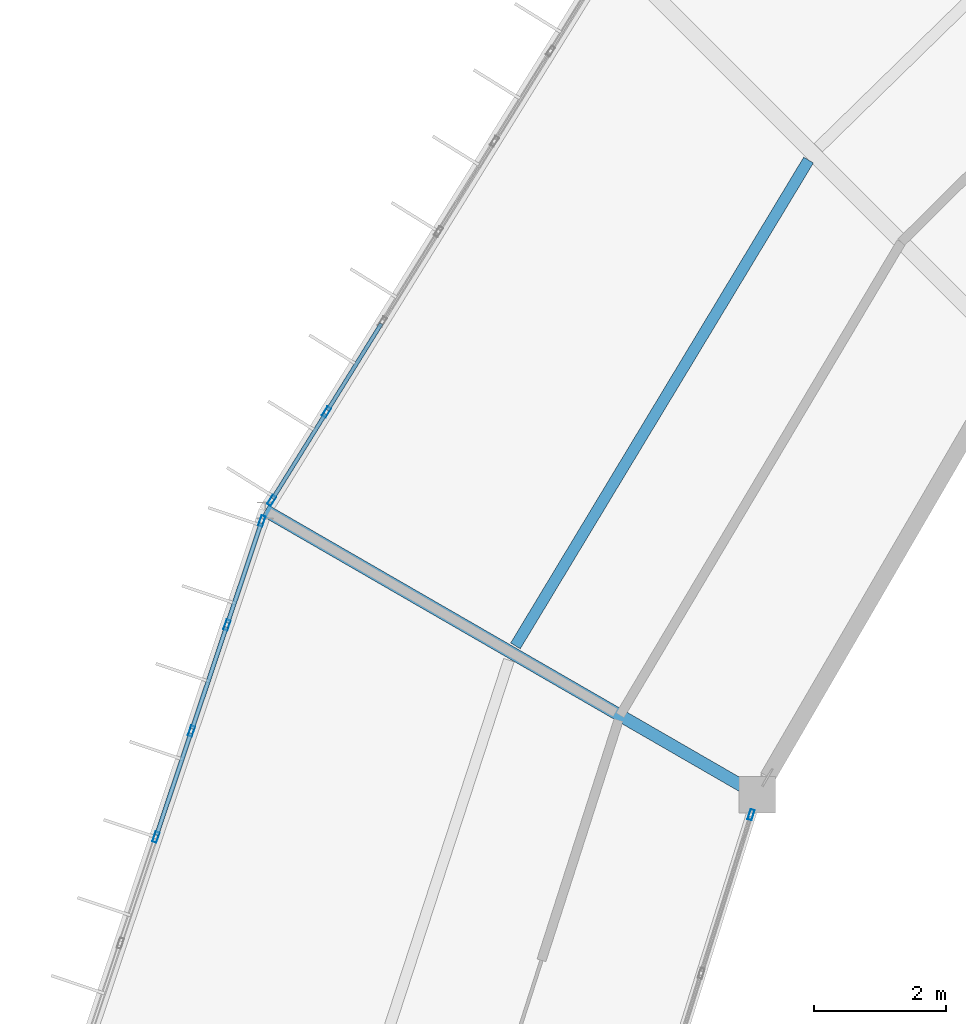
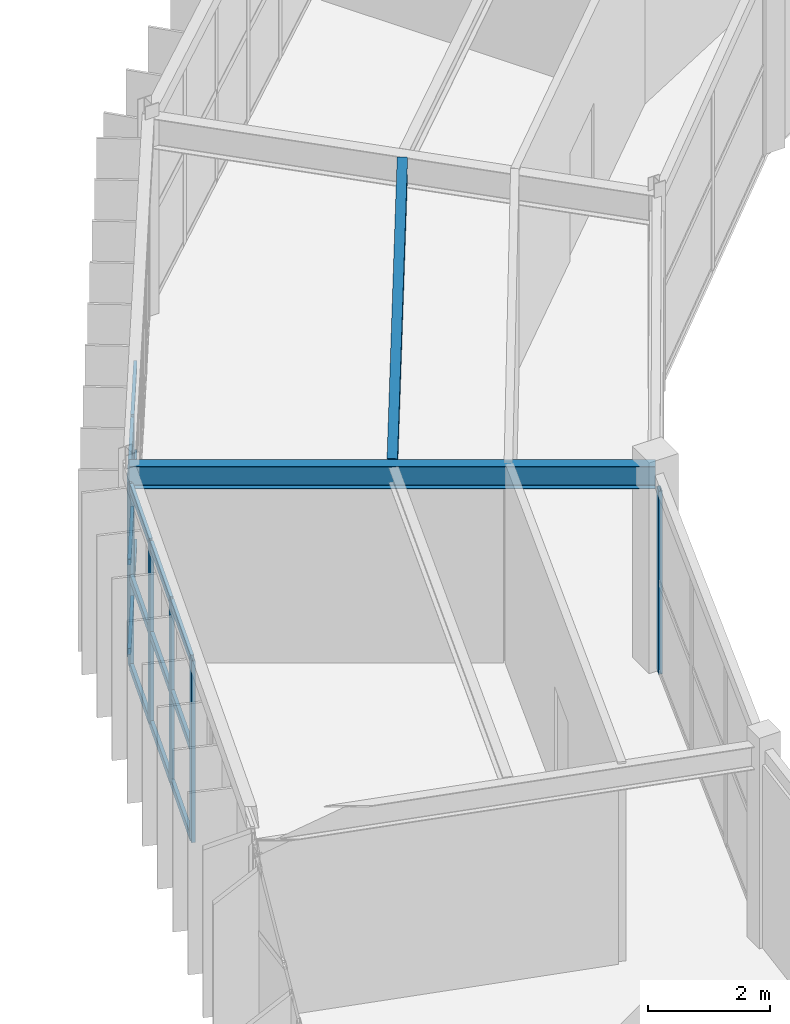
# One storey, part 84 of 157: 22 members, 2 beams, 3 elements without a shape of their own.
"""IFC4 building model written with IfcOpenShell, lengths in metres."""

import ifcopenshell
import ifcopenshell.guid

model = None  # the IFC model being written
_history = None  # IfcOwnerHistory: only IFC2X3 demands one
_inside = {}  # id of a spatial element -> (the spatial element, [elements in it])
_under = {}  # id of a project, library or spatial element -> (it, [spatial elements below it])
_declared = {}  # id of a project -> (the project, [libraries it declares])
_typed = {}  # id of a type object -> (the type object, [elements of that type])
_made_of = {}  # id of a material, layer set ... -> (it, [elements and type objects made of it])


def new_model(schema):
    """Start an empty IFC model of exactly this schema.

    Asked for "IFC4X3", IfcOpenShell would pick the latest addendum, in which some entities
    have other attributes; the version numbers below select the first issue.
    IFC2X3 requires an IfcOwnerHistory on every rooted entity: one is made here for all.
    """
    global model, _history
    if schema == "IFC4X3":
        model = ifcopenshell.file(schema_version=(4, 3, 0, 0))
    else:
        model = ifcopenshell.file(schema=schema)
    _inside.clear()
    _under.clear()
    _declared.clear()
    _typed.clear()
    _made_of.clear()
    _history = None
    if model.schema == "IFC2X3":
        org = make("IfcOrganization", Name="unknown")
        user = make(
            "IfcPersonAndOrganization",
            ThePerson=make("IfcPerson", FamilyName="unknown"),
            TheOrganization=org,
        )
        app = make(
            "IfcApplication",
            ApplicationDeveloper=org,
            Version="unknown",
            ApplicationFullName="unknown",
            ApplicationIdentifier="unknown",
        )
        _history = make(
            "IfcOwnerHistory",
            OwningUser=user,
            OwningApplication=app,
            ChangeAction="ADDED",
            CreationDate=0,
        )
    return model


def make(cls, **values):
    """One entity of the class cls with the attributes given. An attribute that is None is left unset."""
    return model.create_entity(
        cls, **{name: value for name, value in values.items() if value is not None}
    )


def rooted(cls, **values):
    """An entity with a GlobalId (a new one), such as an element, a storey or a relation."""
    return make(cls, GlobalId=ifcopenshell.guid.new(), OwnerHistory=_history, **values)


def si_unit(unit_type, name, prefix=None):
    """IfcSIUnit, for example si_unit("LENGTHUNIT", "METRE", prefix="MILLI")."""
    return make("IfcSIUnit", UnitType=unit_type, Prefix=prefix, Name=name)


def assignment(units):
    """IfcUnitAssignment: the units of a project."""
    return None if units is None else make("IfcUnitAssignment", Units=units)


def point(xyz):
    """IfcCartesianPoint."""
    return None if xyz is None else make("IfcCartesianPoint", Coordinates=xyz)


def direction(xyz):
    """IfcDirection."""
    return None if xyz is None else make("IfcDirection", DirectionRatios=xyz)


def frame(location, z_axis=None, x_axis=None):
    """IfcAxis2Placement3D, a coordinate frame: its origin and axes. An axis left out is left unset."""
    return make(
        "IfcAxis2Placement3D",
        Location=point(location),
        Axis=direction(z_axis),
        RefDirection=direction(x_axis),
    )


def frame_2d(location, x_axis=None):
    """IfcAxis2Placement2D, a coordinate frame in the plane: its origin and x axis."""
    return make(
        "IfcAxis2Placement2D", Location=point(location), RefDirection=direction(x_axis)
    )


def origin():
    """The frame at (0, 0, 0) with its axes left unset."""
    return frame((0.0, 0.0, 0.0))


def origin_2d():
    """The frame at (0, 0) in the plane with its x axis left unset."""
    return frame_2d((0.0, 0.0))


def place(relative_to, where):
    """IfcLocalPlacement: puts the frame where relative to a parent placement (None: the world)."""
    return make(
        "IfcLocalPlacement", PlacementRelTo=relative_to, RelativePlacement=where
    )


def context(
    kind, dimensions, precision=None, world=None, true_north=None, identifier=None
):
    """IfcGeometricRepresentationContext, for example the 3D "Model" context."""
    return make(
        "IfcGeometricRepresentationContext",
        ContextIdentifier=identifier,
        ContextType=kind,
        CoordinateSpaceDimension=dimensions,
        Precision=precision,
        WorldCoordinateSystem=world,
        TrueNorth=true_north,
    )


def subcontext(parent, identifier, kind, view, scale=None):
    """IfcGeometricRepresentationSubContext, for example "Body" below "Model"."""
    return make(
        "IfcGeometricRepresentationSubContext",
        ContextIdentifier=identifier,
        ContextType=kind,
        ParentContext=parent,
        TargetScale=scale,
        TargetView=view,
    )


def project(units=None, contexts=None):
    """IfcProject with its units and contexts."""
    return rooted(
        "IfcProject",
        Name="project",
        RepresentationContexts=contexts,
        UnitsInContext=assignment(units),
    )


def spatial(cls, under=None, at=None, **own):
    """A site, building, storey or space (cls), placed at a placement, below another one or the project."""
    s = rooted(cls, ObjectPlacement=at, **own)
    if under is not None:
        _under.setdefault(under.id(), (under, []))[1].append(s)
    return s


def profile(cls, at=None, kind="AREA", **sizes):
    """A parametric profile (cls). Its sizes go by their IFC names, for example OverallWidth=200.0."""
    return make(cls, ProfileType=kind, Position=at, **sizes)


def hollow_rectangle(**sizes):
    """IfcRectangleHollowProfileDef."""
    return profile("IfcRectangleHollowProfileDef", **sizes)


def i_section(**sizes):
    """IfcIShapeProfileDef."""
    return profile("IfcIShapeProfileDef", **sizes)


def extrude(swept, where, along, depth):
    """IfcExtrudedAreaSolid: the profile swept, set in the frame where, extruded along a direction by depth."""
    return make(
        "IfcExtrudedAreaSolid",
        SweptArea=swept,
        Position=where,
        ExtrudedDirection=direction(along),
        Depth=depth,
    )


def shape(context_of_items, identifier, shape_type, items):
    """IfcShapeRepresentation: the items that make up one representation, for example the "Body"."""
    return make(
        "IfcShapeRepresentation",
        ContextOfItems=context_of_items,
        RepresentationIdentifier=identifier,
        RepresentationType=shape_type,
        Items=items,
    )


def material(Name=None, Category=None):
    """IfcMaterial."""
    return make("IfcMaterial", Name=Name, Category=Category)


def material_profile(
    of_material, cross_section, Name=None, Category=None, Priority=None
):
    """IfcMaterialProfile: a cross section and its material."""
    return make(
        "IfcMaterialProfile",
        Name=Name,
        Material=of_material,
        Profile=cross_section,
        Priority=Priority,
        Category=Category,
    )


def profile_set(profiles, Name=None, composite=None):
    """IfcMaterialProfileSet."""
    return make(
        "IfcMaterialProfileSet",
        Name=Name,
        MaterialProfiles=profiles,
        CompositeProfile=composite,
    )


def made_of(thing, what):
    """Note that an element or type object is made of a material, layer set ...; save() writes the relation."""
    if what is not None:
        _made_of.setdefault(what.id(), (what, []))[1].append(thing)
    return thing


def type_object(cls, material=None, **own):
    """A type object (cls), such as IfcWallType, which elements share."""
    return made_of(rooted(cls, **own), material)


def element(
    cls,
    number,
    at=None,
    inside=None,
    cuts=None,
    type_object=None,
    material=None,
    context=None,
    identifier="Body",
    shape_type=None,
    held_by="IfcProductDefinitionShape",
    body=None,
    shapes=None,
    **own,
):
    """One element of the class cls, such as IfcWall. Its Tag is "e" and its number.

    at: its placement. inside: the storey or other place that contains it. cuts: it is an
    opening in that element (IfcRelVoidsElement). A single representation is given by context,
    identifier, shape_type and body (its items); several are given by shapes. held_by: the class
    of the entity that holds the representations. save() writes the other relations.
    """
    e = rooted(cls, Tag="e%d" % number, ObjectPlacement=at, **own)
    if body is not None:
        shapes = [shape(context, identifier, shape_type, body)]
    if shapes is not None:
        e.Representation = make(held_by, Representations=shapes)
    if inside is not None:
        _inside.setdefault(inside.id(), (inside, []))[1].append(e)
    if cuts is not None:
        rooted(
            "IfcRelVoidsElement", RelatingBuildingElement=cuts, RelatedOpeningElement=e
        )
    if type_object is not None:
        _typed.setdefault(type_object.id(), (type_object, []))[1].append(e)
    return made_of(e, material)


def aggregate(whole, parts):
    """IfcRelAggregates: a whole, such as a stair, and the parts it consists of."""
    return rooted("IfcRelAggregates", RelatingObject=whole, RelatedObjects=parts)


def save(model, path):
    """Write the relations noted so far, then the file.

    IfcRelAggregates (storeys below a building ...), IfcRelContainedInSpatialStructure (elements
    in a storey), IfcRelDefinesByType, IfcRelAssociatesMaterial and IfcRelDeclares: one each for
    every whole, place, type object, material and project.
    """
    for whole, parts in _under.values():
        aggregate(whole, parts)
    for where, things in _inside.values():
        rooted(
            "IfcRelContainedInSpatialStructure",
            RelatedElements=things,
            RelatingStructure=where,
        )
    for kind, things in _typed.values():
        rooted("IfcRelDefinesByType", RelatedObjects=things, RelatingType=kind)
    for what, things in _made_of.values():
        rooted("IfcRelAssociatesMaterial", RelatedObjects=things, RelatingMaterial=what)
    for by, libraries in _declared.values():
        rooted("IfcRelDeclares", RelatingContext=by, RelatedDefinitions=libraries)
    model.write(path)


model = new_model("IFC4")

# Units and contexts
model_context = context("Model", 3, precision=1e-05, world=origin(), true_north=direction((0.0, 1.0)))
body_context = subcontext(model_context, "Body", "Model", "MODEL_VIEW")
ifc_project = project(units=[si_unit("LENGTHUNIT", "METRE"), si_unit("AREAUNIT", "SQUARE_METRE"), si_unit("VOLUMEUNIT", "CUBIC_METRE"), si_unit("PLANEANGLEUNIT", "RADIAN"), si_unit("MASSUNIT", "GRAM", prefix="KILO")], contexts=[model_context])

# Site, building, storey
site_placement = place(None, origin())
site = spatial("IfcSite", under=ifc_project, at=site_placement, CompositionType="ELEMENT")
building_placement = place(site_placement, origin())
building = spatial("IfcBuilding", under=site, at=building_placement, Name="Karori Crest Natural Sciences Institute", CompositionType="ELEMENT")
storey_placement = place(building_placement, frame((0.0, 0.0, 13.300048828125)))
storey = spatial("IfcBuildingStorey", under=building, at=storey_placement, Name="L03", CompositionType="ELEMENT", Elevation=13.300048828125)

# Beams
ifc_material_1 = material(Name="Structural steel AS/NZS 3679.1 Grade 350", Category="steel")
ifc_material_profile_1 = material_profile(ifc_material_1, i_section(OverallWidth=0.18994140625, OverallDepth=0.4541015625, WebThickness=0.008544921875, FlangeThickness=0.0126953125, FilletRadius=0.010986328125, at=origin_2d()), Name="460UB67.1")
ifc_profile_set_1 = profile_set([ifc_material_profile_1], Name="Structural steel AS/NZS 3679.1 Grade 350")
beam_type_1 = type_object("IfcBeamType", Name="BT-28", PredefinedType="BEAM", material=ifc_profile_set_1)
beam_1_placement = place(storey_placement, frame((45.26904296875, 66.0, 3.712890625), z_axis=(-0.866021068297, 0.500007509209, 0.0), x_axis=(-0.500007509209, -0.866021068297, 0.0)))
element("IfcBeam", 1, at=beam_1_placement, inside=storey, type_object=beam_type_1, Name="Beam B-0401", PredefinedType="BEAM", context=body_context, shape_type="SweptSolid", body=[
    extrude(i_section(OverallWidth=0.18994140625, OverallDepth=0.4541015625, WebThickness=0.008544921875, FlangeThickness=0.0126953125, FilletRadius=0.010986328125, at=origin_2d()), origin(), (0.0, 0.0, 1.0), 8.599853515625),
])
ifc_material_profile_2 = material_profile(ifc_material_1, i_section(OverallWidth=0.1708984375, OverallDepth=0.35595703125, WebThickness=0.00732421875, FlangeThickness=0.011474609375, FilletRadius=0.010986328125, at=origin_2d()), Name="360UB50.7")
ifc_profile_set_2 = profile_set([ifc_material_profile_2], Name="Structural steel AS/NZS 3679.1 Grade 350")
beam_type_2 = type_object("IfcBeamType", Name="BT-30", PredefinedType="BEAM", material=ifc_profile_set_2)
beam_2_placement = place(storey_placement, frame((46.044189453125, 75.606689453125, 3.761962890625), z_axis=(-0.516601017309, -0.856226248672, 0.0), x_axis=(0.856226248672, -0.516601017309, 0.0)))
element("IfcBeam", 2, at=beam_2_placement, inside=storey, type_object=beam_type_2, Name="Beam B-0398", PredefinedType="BEAM", context=body_context, shape_type="SweptSolid", body=[
    extrude(i_section(OverallWidth=0.1708984375, OverallDepth=0.35595703125, WebThickness=0.00732421875, FlangeThickness=0.011474609375, FilletRadius=0.010986328125, at=origin_2d()), origin(), (0.0, 0.0, 1.0), 8.5888671875),
])

# Curtain wall, members
ifc_material_2 = material(Name="Anodised architectural aluminium 6063-T6", Category="aluminium")
curtain_wall_type_1 = type_object("IfcCurtainWallType", Name="CWT-10", PredefinedType="NOTDEFINED", material=ifc_material_2)
curtain_wall_1_placement = place(storey_placement, origin())
curtain_wall_1 = element("IfcCurtainWall", 3, at=curtain_wall_1_placement, inside=storey, type_object=curtain_wall_type_1, Name="Curtain wall CW-0114", PredefinedType="NOTDEFINED")
ifc_material_profile_3 = material_profile(ifc_material_2, hollow_rectangle(XDim=0.06494140625, YDim=0.159912109375, WallThickness=0.00390625, at=origin_2d()), Name="CWM160x65x4")
ifc_profile_set_3 = profile_set([ifc_material_profile_3], Name="Anodised architectural aluminium 6063-T6")
member_type_1 = type_object("IfcMemberType", Name="CWM-01", PredefinedType="MULLION", material=ifc_profile_set_3)
member_1_placement = place(storey_placement, frame((37.916259765625, 70.452880859375, 0.0), z_axis=(0.0, 0.0, 1.0), x_axis=(-0.849664350398, 0.527323896352, 0.0)))
member_1 = element("IfcMember", 4, at=member_1_placement, type_object=member_type_1, Name="CW-0114 mullion 1", PredefinedType="MULLION", context=body_context, shape_type="SweptSolid", body=[
    extrude(hollow_rectangle(XDim=0.06494140625, YDim=0.159912109375, WallThickness=0.00390625, at=origin_2d()), origin(), (0.0, 0.0, 1.0), 3.625),
])
member_2_placement = place(storey_placement, frame((38.746826171875, 71.791259765625, 0.0), z_axis=(0.0, 0.0, 1.0), x_axis=(-0.849664350398, 0.527323896352, 0.0)))
member_2 = element("IfcMember", 5, at=member_2_placement, type_object=member_type_1, Name="CW-0114 mullion 2", PredefinedType="MULLION", context=body_context, shape_type="SweptSolid", body=[
    extrude(hollow_rectangle(XDim=0.06494140625, YDim=0.159912109375, WallThickness=0.00390625, at=origin_2d()), origin(), (0.0, 0.0, 1.0), 3.625),
])

curtain_wall_type_2 = type_object("IfcCurtainWallType", Name="CWT-01", PredefinedType="NOTDEFINED", material=ifc_material_2)
curtain_wall_2_placement = place(storey_placement, origin())
curtain_wall_2 = element("IfcCurtainWall", 6, at=curtain_wall_2_placement, inside=storey, type_object=curtain_wall_type_2, Name="Curtain wall CW-0115", PredefinedType="NOTDEFINED")
member_3_placement = place(storey_placement, frame((36.1650390625, 65.35693359375, 0.0), z_axis=(0.0, 0.0, 1.0), x_axis=(-0.94819805026, 0.317679803392, 0.0)))
member_3 = element("IfcMember", 7, at=member_3_placement, type_object=member_type_1, Name="CW-0115 mullion 4", PredefinedType="MULLION", context=body_context, shape_type="SweptSolid", body=[
    extrude(hollow_rectangle(XDim=0.06494140625, YDim=0.159912109375, WallThickness=0.00390625, at=origin_2d()), origin(), (0.0, 0.0, 1.0), 3.625),
])
member_4_placement = place(storey_placement, frame((36.703125, 66.962890625, 0.0), z_axis=(0.0, 0.0, 1.0), x_axis=(-0.94819805026, 0.317679803392, 0.0)))
member_4 = element("IfcMember", 8, at=member_4_placement, type_object=member_type_1, Name="CW-0115 mullion 5", PredefinedType="MULLION", context=body_context, shape_type="SweptSolid", body=[
    extrude(hollow_rectangle(XDim=0.06494140625, YDim=0.159912109375, WallThickness=0.00390625, at=origin_2d()), origin(), (0.0, 0.0, 1.0), 3.625),
])
member_5_placement = place(storey_placement, frame((37.2412109375, 68.56884765625, 0.0), z_axis=(0.0, 0.0, 1.0), x_axis=(-0.94819805026, 0.317679803392, 0.0)))
member_5 = element("IfcMember", 9, at=member_5_placement, type_object=member_type_1, Name="CW-0115 mullion 6", PredefinedType="MULLION", context=body_context, shape_type="SweptSolid", body=[
    extrude(hollow_rectangle(XDim=0.06494140625, YDim=0.159912109375, WallThickness=0.00390625, at=origin_2d()), origin(), (0.0, 0.0, 1.0), 3.625),
])
member_6_placement = place(storey_placement, frame((37.76904296875, 70.14404296875, 0.0), z_axis=(0.0, 0.0, 1.0), x_axis=(-0.94819805026, 0.317679803392, 0.0)))
member_6 = element("IfcMember", 10, at=member_6_placement, type_object=member_type_1, Name="CW-0115 mullion 7", PredefinedType="MULLION", context=body_context, shape_type="SweptSolid", body=[
    extrude(hollow_rectangle(XDim=0.06494140625, YDim=0.159912109375, WallThickness=0.00390625, at=origin_2d()), origin(), (0.0, 0.0, 1.0), 3.625),
])

# Curtain wall, member
curtain_wall_type_3 = type_object("IfcCurtainWallType", Name="CWT-11", PredefinedType="NOTDEFINED", material=ifc_material_2)
curtain_wall_3_placement = place(storey_placement, origin())
curtain_wall_3 = element("IfcCurtainWall", 11, at=curtain_wall_3_placement, inside=storey, type_object=curtain_wall_type_3, Name="Curtain wall CW-0116", PredefinedType="NOTDEFINED")
member_7_placement = place(storey_placement, frame((45.173583984375, 65.69580078125, 0.0), z_axis=(0.0, 0.0, 1.0), x_axis=(0.954104067778, -0.299475254154, 0.0)))
member_7 = element("IfcMember", 12, at=member_7_placement, type_object=member_type_1, Name="CW-0116 mullion 1", PredefinedType="MULLION", context=body_context, shape_type="SweptSolid", body=[
    extrude(hollow_rectangle(XDim=0.06494140625, YDim=0.159912109375, WallThickness=0.00390625, at=origin_2d()), origin(), (0.0, 0.0, 1.0), 3.64990234375),
])
aggregate(curtain_wall_3, [member_7])

# Member
ifc_material_profile_4 = material_profile(ifc_material_2, hollow_rectangle(XDim=0.06005859375, YDim=0.1201171875, WallThickness=0.00390625, at=origin_2d()), Name="CWT120x60x4")
ifc_profile_set_4 = profile_set([ifc_material_profile_4], Name="Anodised architectural aluminium 6063-T6")
member_type_2 = type_object("IfcMemberType", Name="CWT-TR1", PredefinedType="USERDEFINED", material=ifc_profile_set_4)
member_8_placement = place(storey_placement, frame((37.933349609375, 70.48046875, 0.030029296875), z_axis=(0.52732262058, 0.849665142173, 0.0), x_axis=(-0.849665142173, 0.52732262058, 0.0)))
member_8 = element("IfcMember", 13, at=member_8_placement, type_object=member_type_2, Name="CW-0114 transom 1.1", ObjectType="TRANSOM", PredefinedType="USERDEFINED", context=body_context, shape_type="SweptSolid", body=[
    extrude(hollow_rectangle(XDim=0.06005859375, YDim=0.1201171875, WallThickness=0.00390625, at=origin_2d()), origin(), (0.0, 0.0, 1.0), 1.51025390625),
])

member_9_placement = place(storey_placement, frame((37.933349609375, 70.48046875, 1.8125), z_axis=(0.52732262058, 0.849665142173, 0.0), x_axis=(-0.849665142173, 0.52732262058, 0.0)))
member_9 = element("IfcMember", 14, at=member_9_placement, type_object=member_type_2, Name="CW-0114 transom 1.2", ObjectType="TRANSOM", PredefinedType="USERDEFINED", context=body_context, shape_type="SweptSolid", body=[
    extrude(hollow_rectangle(XDim=0.06005859375, YDim=0.1201171875, WallThickness=0.00390625, at=origin_2d()), origin(), (0.0, 0.0, 1.0), 1.51025390625),
])

member_10_placement = place(storey_placement, frame((37.933349609375, 70.48046875, 3.594970703125), z_axis=(0.52732262058, 0.849665142173, 0.0), x_axis=(-0.849665142173, 0.52732262058, 0.0)))
member_10 = element("IfcMember", 15, at=member_10_placement, type_object=member_type_2, Name="CW-0114 transom 1.3", ObjectType="TRANSOM", PredefinedType="USERDEFINED", context=body_context, shape_type="SweptSolid", body=[
    extrude(hollow_rectangle(XDim=0.06005859375, YDim=0.1201171875, WallThickness=0.00390625, at=origin_2d()), origin(), (0.0, 0.0, 1.0), 1.51025390625),
])

member_11_placement = place(storey_placement, frame((38.763916015625, 71.819091796875, 0.030029296875), z_axis=(0.527307708925, 0.849674396524, 0.0), x_axis=(-0.849674396524, 0.527307708925, 0.0)))
member_11 = element("IfcMember", 16, at=member_11_placement, type_object=member_type_2, Name="CW-0114 transom 2.1", ObjectType="TRANSOM", PredefinedType="USERDEFINED", context=body_context, shape_type="SweptSolid", body=[
    extrude(hollow_rectangle(XDim=0.06005859375, YDim=0.1201171875, WallThickness=0.00390625, at=origin_2d()), origin(), (0.0, 0.0, 1.0), 1.542724609375),
])

member_12_placement = place(storey_placement, frame((38.763916015625, 71.819091796875, 1.8125), z_axis=(0.527307708925, 0.849674396524, 0.0), x_axis=(-0.849674396524, 0.527307708925, 0.0)))
member_12 = element("IfcMember", 17, at=member_12_placement, type_object=member_type_2, Name="CW-0114 transom 2.2", ObjectType="TRANSOM", PredefinedType="USERDEFINED", context=body_context, shape_type="SweptSolid", body=[
    extrude(hollow_rectangle(XDim=0.06005859375, YDim=0.1201171875, WallThickness=0.00390625, at=origin_2d()), origin(), (0.0, 0.0, 1.0), 1.542724609375),
])

member_13_placement = place(storey_placement, frame((38.763916015625, 71.819091796875, 3.594970703125), z_axis=(0.527307708925, 0.849674396524, 0.0), x_axis=(-0.849674396524, 0.527307708925, 0.0)))
member_13 = element("IfcMember", 18, at=member_13_placement, type_object=member_type_2, Name="CW-0114 transom 2.3", ObjectType="TRANSOM", PredefinedType="USERDEFINED", context=body_context, shape_type="SweptSolid", body=[
    extrude(hollow_rectangle(XDim=0.06005859375, YDim=0.1201171875, WallThickness=0.00390625, at=origin_2d()), origin(), (0.0, 0.0, 1.0), 1.542724609375),
])

aggregate(curtain_wall_1, [member_1, member_2, member_8, member_9, member_10, member_11, member_12, member_13])

ifc_material_profile_5 = material_profile(ifc_material_2, hollow_rectangle(XDim=0.06494140625, YDim=0.14990234375, WallThickness=0.00390625, at=origin_2d()), Name="CWT150x65x4")
ifc_profile_set_5 = profile_set([ifc_material_profile_5], Name="Anodised architectural aluminium 6063-T6")
member_type_3 = type_object("IfcMemberType", Name="CWT-TR2", PredefinedType="USERDEFINED", material=ifc_profile_set_5)
member_14_placement = place(storey_placement, frame((36.175537109375, 65.3876953125, 0.032470703125), z_axis=(0.317621421426, 0.948217608279, 0.0), x_axis=(-0.948217608279, 0.317621421426, 0.0)))
member_14 = element("IfcMember", 19, at=member_14_placement, type_object=member_type_3, Name="CW-0115 transom 4.1", ObjectType="TRANSOM", PredefinedType="USERDEFINED", context=body_context, shape_type="SweptSolid", body=[
    extrude(hollow_rectangle(XDim=0.06494140625, YDim=0.14990234375, WallThickness=0.00390625, at=origin_2d()), origin(), (0.0, 0.0, 1.0), 1.628662109375),
])

member_15_placement = place(storey_placement, frame((36.175537109375, 65.3876953125, 1.8125), z_axis=(0.317621421426, 0.948217608279, 0.0), x_axis=(-0.948217608279, 0.317621421426, 0.0)))
member_15 = element("IfcMember", 20, at=member_15_placement, type_object=member_type_3, Name="CW-0115 transom 4.2", ObjectType="TRANSOM", PredefinedType="USERDEFINED", context=body_context, shape_type="SweptSolid", body=[
    extrude(hollow_rectangle(XDim=0.06494140625, YDim=0.14990234375, WallThickness=0.00390625, at=origin_2d()), origin(), (0.0, 0.0, 1.0), 1.628662109375),
])

member_16_placement = place(storey_placement, frame((36.175537109375, 65.3876953125, 3.592529296875), z_axis=(0.317621421426, 0.948217608279, 0.0), x_axis=(-0.948217608279, 0.317621421426, 0.0)))
member_16 = element("IfcMember", 21, at=member_16_placement, type_object=member_type_3, Name="CW-0115 transom 4.3", ObjectType="TRANSOM", PredefinedType="USERDEFINED", context=body_context, shape_type="SweptSolid", body=[
    extrude(hollow_rectangle(XDim=0.06494140625, YDim=0.14990234375, WallThickness=0.00390625, at=origin_2d()), origin(), (0.0, 0.0, 1.0), 1.628662109375),
])

member_17_placement = place(storey_placement, frame((36.71337890625, 66.99365234375, 0.032470703125), z_axis=(0.317756182308, 0.948172457207, 0.0), x_axis=(-0.948172457207, 0.317756182308, 0.0)))
member_17 = element("IfcMember", 22, at=member_17_placement, type_object=member_type_3, Name="CW-0115 transom 5.1", ObjectType="TRANSOM", PredefinedType="USERDEFINED", context=body_context, shape_type="SweptSolid", body=[
    extrude(hollow_rectangle(XDim=0.06494140625, YDim=0.14990234375, WallThickness=0.00390625, at=origin_2d()), origin(), (0.0, 0.0, 1.0), 1.62890625),
])

member_18_placement = place(storey_placement, frame((36.71337890625, 66.99365234375, 1.8125), z_axis=(0.317756182308, 0.948172457207, 0.0), x_axis=(-0.948172457207, 0.317756182308, 0.0)))
member_18 = element("IfcMember", 23, at=member_18_placement, type_object=member_type_3, Name="CW-0115 transom 5.2", ObjectType="TRANSOM", PredefinedType="USERDEFINED", context=body_context, shape_type="SweptSolid", body=[
    extrude(hollow_rectangle(XDim=0.06494140625, YDim=0.14990234375, WallThickness=0.00390625, at=origin_2d()), origin(), (0.0, 0.0, 1.0), 1.62890625),
])

member_19_placement = place(storey_placement, frame((36.71337890625, 66.99365234375, 3.592529296875), z_axis=(0.317756182308, 0.948172457207, 0.0), x_axis=(-0.948172457207, 0.317756182308, 0.0)))
member_19 = element("IfcMember", 24, at=member_19_placement, type_object=member_type_3, Name="CW-0115 transom 5.3", ObjectType="TRANSOM", PredefinedType="USERDEFINED", context=body_context, shape_type="SweptSolid", body=[
    extrude(hollow_rectangle(XDim=0.06494140625, YDim=0.14990234375, WallThickness=0.00390625, at=origin_2d()), origin(), (0.0, 0.0, 1.0), 1.62890625),
])

member_20_placement = place(storey_placement, frame((37.25146484375, 68.599609375, 0.032470703125), z_axis=(0.317649722808, 0.948208127786, 0.0), x_axis=(-0.948208127786, 0.317649722808, 0.0)))
member_20 = element("IfcMember", 25, at=member_20_placement, type_object=member_type_3, Name="CW-0115 transom 6.1", ObjectType="TRANSOM", PredefinedType="USERDEFINED", context=body_context, shape_type="SweptSolid", body=[
    extrude(hollow_rectangle(XDim=0.06494140625, YDim=0.14990234375, WallThickness=0.00390625, at=origin_2d()), origin(), (0.0, 0.0, 1.0), 1.596435546875),
])

member_21_placement = place(storey_placement, frame((37.25146484375, 68.599609375, 1.8125), z_axis=(0.317649722808, 0.948208127786, 0.0), x_axis=(-0.948208127786, 0.317649722808, 0.0)))
member_21 = element("IfcMember", 26, at=member_21_placement, type_object=member_type_3, Name="CW-0115 transom 6.2", ObjectType="TRANSOM", PredefinedType="USERDEFINED", context=body_context, shape_type="SweptSolid", body=[
    extrude(hollow_rectangle(XDim=0.06494140625, YDim=0.14990234375, WallThickness=0.00390625, at=origin_2d()), origin(), (0.0, 0.0, 1.0), 1.596435546875),
])

member_22_placement = place(storey_placement, frame((37.25146484375, 68.599609375, 3.592529296875), z_axis=(0.317649722808, 0.948208127786, 0.0), x_axis=(-0.948208127786, 0.317649722808, 0.0)))
member_22 = element("IfcMember", 27, at=member_22_placement, type_object=member_type_3, Name="CW-0115 transom 6.3", ObjectType="TRANSOM", PredefinedType="USERDEFINED", context=body_context, shape_type="SweptSolid", body=[
    extrude(hollow_rectangle(XDim=0.06494140625, YDim=0.14990234375, WallThickness=0.00390625, at=origin_2d()), origin(), (0.0, 0.0, 1.0), 1.596435546875),
])

aggregate(curtain_wall_2, [member_3, member_4, member_5, member_6, member_14, member_15, member_16, member_17, member_18, member_19, member_20, member_21, member_22])

save(model, "model.ifc")
